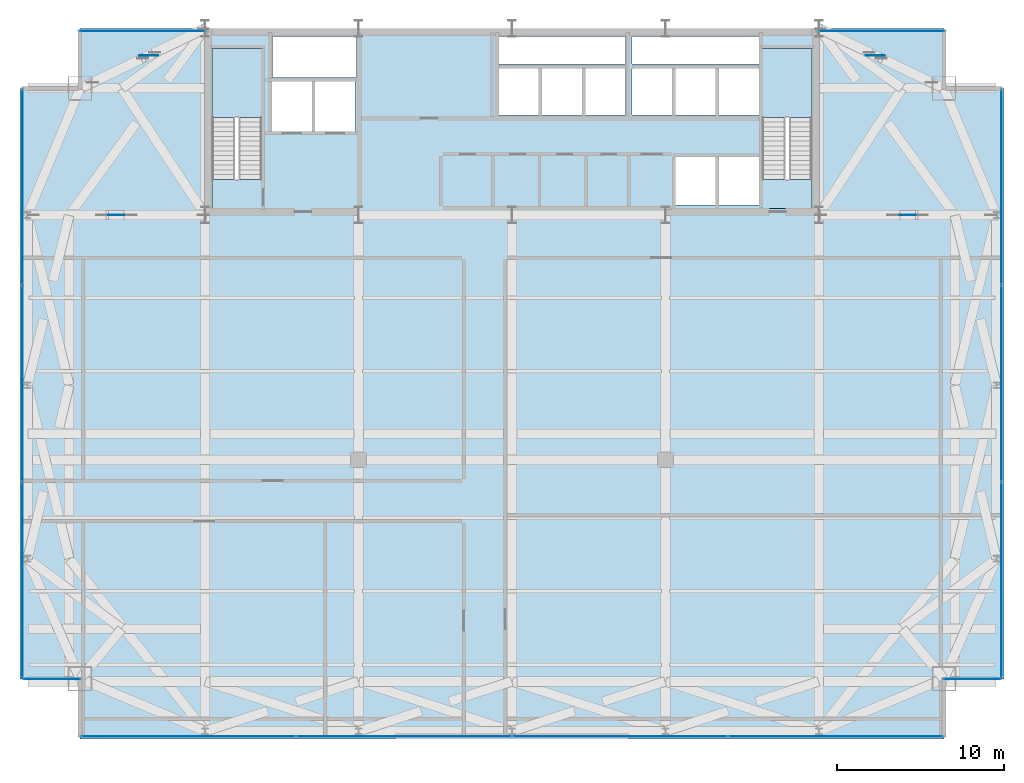
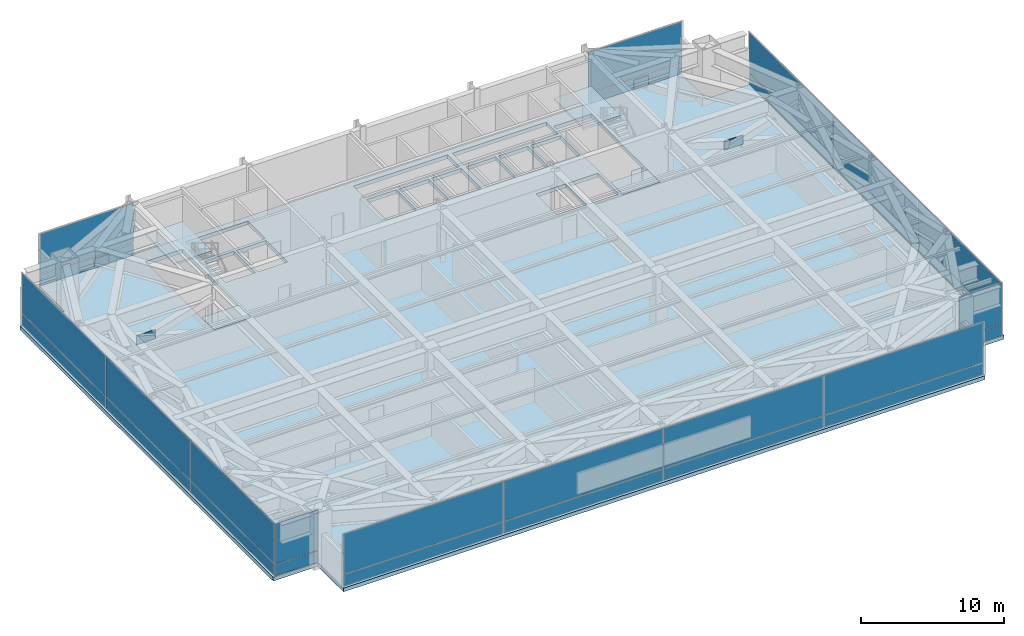
# One storey, part 26 of 32: 32 plates, 5 slabs, 9 elements without a shape of their own.
"""IFC4 building model written with IfcOpenShell, lengths in metres."""

from ifc_helpers import new_model, si_unit, direction, frame, origin, origin_2d, place, context, subcontext, project, spatial, polyline, rectangle, outline, extrude, source, transform, mapped, material, layer, layer_set, type_object, type_shapes, element, aggregate, save


model = new_model("IFC4")

# Units and contexts
model_context = context("Model", 3, precision=1e-05, world=origin(), true_north=direction((0.0, 1.0)))
body_context = subcontext(model_context, "Body", "Model", "MODEL_VIEW")
ifc_project = project(units=[si_unit("LENGTHUNIT", "METRE"), si_unit("AREAUNIT", "SQUARE_METRE"), si_unit("VOLUMEUNIT", "CUBIC_METRE"), si_unit("PLANEANGLEUNIT", "RADIAN"), si_unit("MASSUNIT", "GRAM", prefix="KILO")], contexts=[model_context])

# Site, building, storey
site_placement = place(None, origin())
site = spatial("IfcSite", under=ifc_project, at=site_placement, CompositionType="ELEMENT")
building_placement = place(site_placement, origin())
building = spatial("IfcBuilding", under=site, at=building_placement, Name="Varnel Quay Broadcast Tower", CompositionType="ELEMENT")
storey_placement = place(building_placement, frame((0.0, 0.0, 141.0)))
storey = spatial("IfcBuildingStorey", under=building, at=storey_placement, Name="L34", CompositionType="ELEMENT", Elevation=141.0)

# Slabs
ifc_material_1 = material(Name="Concrete CSA A23.3 C50/60", Category="concrete")
ifc_layer_1 = layer(ifc_material_1, 0.320068359375, Name="Concrete CSA A23.3 C50/60")
ifc_layer_set_1 = layer_set([ifc_layer_1], Name="Concrete CSA A23.3 C50/60")
slab_type_1 = type_object("IfcSlabType", Name="Slab_Floor320", PredefinedType="FLOOR", material=ifc_layer_set_1)
slab_1_placement = place(storey_placement, frame((0.0, 0.0, -0.320068359375)))
element("IfcSlab", 1, at=slab_1_placement, inside=storey, type_object=slab_type_1, Name="L34 Structural Slab", PredefinedType="FLOOR", context=body_context, shape_type="SweptSolid", body=[
    extrude(outline(polyline([(8.10009765625, 4.199951171875), (59.89990234375, 4.199951171875), (59.89990234375, 7.800048828125), (63.5, 7.800048828125), (63.5, 43.199951171875), (59.89990234375, 43.199951171875), (59.89990234375, 46.800048828125), (8.10009765625, 46.800048828125), (8.10009765625, 43.199951171875), (4.5, 43.199951171875), (4.5, 7.800048828125), (8.10009765625, 7.800048828125), (8.10009765625, 4.199951171875)]), holes=[polyline([(19.0, 36.0), (16.0, 36.0), (16.0, 45.60009765625), (19.0, 45.60009765625), (19.0, 36.0)]), polyline([(19.60009765625, 43.60009765625), (22.0, 43.60009765625), (22.0, 40.60009765625), (19.60009765625, 40.60009765625), (19.60009765625, 43.60009765625)]), polyline([(22.199951171875, 43.60009765625), (24.60009765625, 43.60009765625), (24.60009765625, 40.60009765625), (22.199951171875, 40.60009765625), (22.199951171875, 43.60009765625)]), polyline([(33.199951171875, 44.39990234375), (35.60009765625, 44.39990234375), (35.60009765625, 41.60009765625), (33.199951171875, 41.60009765625), (33.199951171875, 44.39990234375)]), polyline([(35.800048828125, 44.39990234375), (38.199951171875, 44.39990234375), (38.199951171875, 41.60009765625), (35.800048828125, 41.60009765625), (35.800048828125, 44.39990234375)]), polyline([(38.39990234375, 44.39990234375), (40.800048828125, 44.39990234375), (40.800048828125, 41.60009765625), (38.39990234375, 41.60009765625), (38.39990234375, 44.39990234375)]), polyline([(19.64990234375, 46.300048828125), (24.679931640625, 46.300048828125), (24.679931640625, 43.85009765625), (19.64990234375, 43.85009765625), (19.64990234375, 46.300048828125)]), polyline([(33.199951171875, 46.300048828125), (40.800048828125, 46.300048828125), (40.800048828125, 44.64990234375), (33.199951171875, 44.64990234375), (33.199951171875, 46.300048828125)]), polyline([(43.800048828125, 39.10009765625), (46.199951171875, 39.10009765625), (46.199951171875, 36.199951171875), (43.800048828125, 36.199951171875), (43.800048828125, 39.10009765625)]), polyline([(46.39990234375, 39.10009765625), (48.800048828125, 39.10009765625), (48.800048828125, 36.199951171875), (46.39990234375, 36.199951171875), (46.39990234375, 39.10009765625)]), polyline([(49.0, 36.0), (49.0, 45.60009765625), (52.0, 45.60009765625), (52.0, 36.0), (49.0, 36.0)]), polyline([(41.199951171875, 44.39990234375), (43.60009765625, 44.39990234375), (43.60009765625, 41.60009765625), (41.199951171875, 41.60009765625), (41.199951171875, 44.39990234375)]), polyline([(43.800048828125, 44.39990234375), (46.199951171875, 44.39990234375), (46.199951171875, 41.60009765625), (43.800048828125, 41.60009765625), (43.800048828125, 44.39990234375)]), polyline([(46.39990234375, 44.39990234375), (48.800048828125, 44.39990234375), (48.800048828125, 41.60009765625), (46.39990234375, 41.60009765625), (46.39990234375, 44.39990234375)]), polyline([(41.199951171875, 46.300048828125), (48.800048828125, 46.300048828125), (48.800048828125, 44.64990234375), (41.199951171875, 44.64990234375), (41.199951171875, 46.300048828125)])]), origin(), (0.0, 0.0, 1.0), 0.320068359375),
])
ifc_layer_2 = layer(ifc_material_1, 0.25, Name="Concrete CSA A23.3 C50/60")
ifc_layer_set_2 = layer_set([ifc_layer_2], Name="Concrete CSA A23.3 C50/60")
slab_type_2 = type_object("IfcSlabType", Name="Slab_StairFloorLanding250", PredefinedType="FLOOR", material=ifc_layer_set_2)
slab_2_placement = place(storey_placement, frame((0.0, 0.0, -0.320068359375)))
element("IfcSlab", 2, at=slab_2_placement, inside=storey, type_object=slab_type_2, Name="L34 ST-01 Structural Floor Landing Slab", PredefinedType="FLOOR", context=body_context, shape_type="SweptSolid", body=[
    extrude(outline(polyline([(19.0, 36.0), (19.0, 37.75), (16.0, 37.75), (16.0, 36.0), (19.0, 36.0)])), origin(), (0.0, 0.0, 1.0), 0.320068359375),
])
slab_3_placement = place(storey_placement, frame((0.0, 0.0, -0.320068359375)))
element("IfcSlab", 3, at=slab_3_placement, inside=storey, type_object=slab_type_2, Name="L34 ST-02 Structural Floor Landing Slab", PredefinedType="FLOOR", context=body_context, shape_type="SweptSolid", body=[
    extrude(outline(polyline([(52.0, 36.0), (52.0, 37.75), (49.0, 37.75), (49.0, 36.0), (52.0, 36.0)])), origin(), (0.0, 0.0, 1.0), 0.320068359375),
])

# Stair, slab
ifc_material_2 = material(Name="Precast Structural Concrete C40/50", Category="concrete")
stair_type_1 = type_object("IfcStairType", Name="Stair_ST-01", PredefinedType="HALF_TURN_STAIR", material=ifc_material_2)
stair_1_placement = place(storey_placement, origin())
stair_1 = element("IfcStair", 4, at=stair_1_placement, inside=storey, type_object=stair_type_1, Name="L34 West Core Exit Stair 1", PredefinedType="HALF_TURN_STAIR")
ifc_layer_3 = layer(ifc_material_2, 0.199951171875, Name="Precast Structural Concrete C40/50")
ifc_layer_set_3 = layer_set([ifc_layer_3], Name="Precast Structural Concrete C40/50")
slab_type_3 = type_object("IfcSlabType", Name="Slab_StairLanding200", PredefinedType="LANDING", material=ifc_layer_set_3)
slab_4_placement = place(storey_placement, frame((0.0, 0.0, 2.199951171875)))
slab_4 = element("IfcSlab", 5, at=slab_4_placement, type_object=slab_type_3, Name="ST-01 landing 1", PredefinedType="LANDING", context=body_context, shape_type="SweptSolid", body=[
    extrude(outline(polyline([(19.0, 41.455078125), (19.0, 45.60009765625), (16.0, 45.60009765625), (16.0, 41.455078125), (19.0, 41.455078125)])), origin(), (0.0, 0.0, 1.0), 0.199951171875),
])
aggregate(stair_1, [slab_4])

stair_type_2 = type_object("IfcStairType", Name="Stair_ST-02", PredefinedType="HALF_TURN_STAIR", material=ifc_material_2)
stair_2_placement = place(storey_placement, origin())
stair_2 = element("IfcStair", 6, at=stair_2_placement, inside=storey, type_object=stair_type_2, Name="L34 East Core Exit Stair 2", PredefinedType="HALF_TURN_STAIR")
slab_5_placement = place(storey_placement, frame((0.0, 0.0, 2.199951171875)))
slab_5 = element("IfcSlab", 7, at=slab_5_placement, type_object=slab_type_3, Name="ST-02 landing 1", PredefinedType="LANDING", context=body_context, shape_type="SweptSolid", body=[
    extrude(outline(polyline([(52.0, 41.455078125), (52.0, 45.60009765625), (49.0, 45.60009765625), (49.0, 41.455078125), (52.0, 41.455078125)])), origin(), (0.0, 0.0, 1.0), 0.199951171875),
])
aggregate(stair_2, [slab_5])

# Plates
ifc_material_3 = material(Name="Structural Steel CSA G40.21 350WT", Category="steel")
ifc_layer_4 = layer(ifc_material_3, 0.0400390625, Name="Structural Steel CSA G40.21 350WT")
ifc_layer_set_4 = layer_set([ifc_layer_4], Name="Structural Steel CSA G40.21 350WT")
plate_type_1 = type_object("IfcPlateType", Name="Plate_MegaGusset", PredefinedType="USERDEFINED", material=ifc_layer_set_4)
shared_shape_1 = source(origin(), body_context, "Body", "SweptSolid", [
    extrude(rectangle(XDim=1.1669921875, YDim=0.0400390625, at=origin_2d()), origin(), (0.0, 0.0, 1.0), 0.785888671875),
])
for number, where, z_axis, x_axis, name in (
    (8, (12.21923828125, 45.17724609375, 1.23681640625), (0.0, 0.0, 1.0), (1.0, 0.0, 0.0), "L34 Outrigger NW Central X-Crossing Gusset Plate"),
    (9, (55.78076171875, 45.17724609375, 1.23681640625), (0.0, 0.0, 1.0), (1.0, 0.0, 0.0), "L34 Outrigger NE Central X-Crossing Gusset Plate"),
):
    element("IfcPlate", number, at=place(storey_placement, frame(where, z_axis=z_axis, x_axis=x_axis)), inside=storey, type_object=plate_type_1, Name=name, ObjectType="GUSSET_PLATE", PredefinedType="USERDEFINED", context=body_context, shape_type="MappedRepresentation", body=[
        mapped(shared_shape_1, transform((0.0, 0.0, 0.0), x_axis=(1.0, 0.0, 0.0), y_axis=(0.0, 1.0, 0.0), z_axis=(0.0, 0.0, 1.0), scale=1.0)),
    ])
shared_shape_2 = source(origin(), body_context, "Body", "SweptSolid", [
    extrude(rectangle(XDim=1.52490234375, YDim=0.0400390625, at=origin_2d()), origin(), (0.0, 0.0, 1.0), 0.76806640625),
])
type_shapes(plate_type_1, [shared_shape_1, shared_shape_2])
for number, where, z_axis, x_axis, name in (
    (10, (10.27490234375, 35.60009765625, 1.245849609375), (0.0, 0.0, 1.0), (1.0, 0.0, 0.0), "L34 Outrigger W Central X-Crossing Gusset Plate"),
    (11, (57.72509765625, 35.60009765625, 1.245849609375), (0.0, 0.0, 1.0), (1.0, 0.0, 0.0), "L34 Outrigger E Central X-Crossing Gusset Plate"),
):
    element("IfcPlate", number, at=place(storey_placement, frame(where, z_axis=z_axis, x_axis=x_axis)), inside=storey, type_object=plate_type_1, Name=name, ObjectType="GUSSET_PLATE", PredefinedType="USERDEFINED", context=body_context, shape_type="MappedRepresentation", body=[
        mapped(shared_shape_2, transform((0.0, 0.0, 0.0), x_axis=(1.0, 0.0, 0.0), y_axis=(0.0, 1.0, 0.0), z_axis=(0.0, 0.0, 1.0), scale=1.0)),
    ])

# Curtain wall, plate
ifc_material_4 = material(Name="Anodised Bronze Aluminium 6063-T6", Category="aluminium")
ifc_layer_5 = layer(ifc_material_4, 0.18994140625, Name="Anodised Bronze Aluminium 6063-T6")
ifc_layer_set_5 = layer_set([ifc_layer_5], Name="Anodised Bronze Aluminium 6063-T6")
curtain_wall_type_1 = type_object("IfcCurtainWallType", Name="CW_NotchCorner", PredefinedType="NOTDEFINED", material=ifc_layer_set_5)
curtain_wall_1_placement = place(storey_placement, origin())
curtain_wall_1 = element("IfcCurtainWall", 12, at=curtain_wall_1_placement, inside=storey, type_object=curtain_wall_type_1, Name="L34 SW Notch Curtain Wall", PredefinedType="NOTDEFINED")
ifc_material_5 = material(Name="Triple-Glazed Bronze Low-E Architectural Glass", Category="glass")
ifc_layer_6 = layer(ifc_material_5, 0.028076171875, Name="Triple-Glazed Bronze Low-E Architectural Glass")
ifc_layer_set_6 = layer_set([ifc_layer_6], Name="Triple-Glazed Bronze Low-E Architectural Glass")
plate_type_2 = type_object("IfcPlateType", Name="Panel_CWS-04", PredefinedType="CURTAIN_PANEL", material=ifc_layer_set_6)
shared_shape_3 = source(origin(), body_context, "Body", "SweptSolid", [
    extrude(rectangle(XDim=3.409912109375, YDim=0.028076171875, at=origin_2d()), origin(), (0.0, 0.0, 1.0), 0.967529296875),
])
plate_1_placement = place(storey_placement, frame((6.4150390625, 7.800048828125, 0.05517578125), z_axis=(0.0, 0.0, 1.0), x_axis=(1.0, 0.0, 0.0)))
plate_1 = element("IfcPlate", 13, at=plate_1_placement, type_object=plate_type_2, Name="CWS-04 panel 1.1", PredefinedType="CURTAIN_PANEL", context=body_context, shape_type="MappedRepresentation", body=[
    mapped(shared_shape_3, transform((0.0, 0.0, 0.0), x_axis=(1.0, 0.0, 0.0), y_axis=(0.0, 1.0, 0.0), z_axis=(0.0, 0.0, 1.0), scale=1.0)),
])

curtain_wall_2_placement = place(storey_placement, origin())
curtain_wall_2 = element("IfcCurtainWall", 14, at=curtain_wall_2_placement, inside=storey, type_object=curtain_wall_type_1, Name="L34 SE Notch Curtain Wall", PredefinedType="NOTDEFINED")
plate_2_placement = place(storey_placement, frame((61.5849609375, 7.800048828125, 0.05517578125), z_axis=(0.0, 0.0, 1.0), x_axis=(1.0, 0.0, 0.0)))
plate_2 = element("IfcPlate", 15, at=plate_2_placement, type_object=plate_type_2, Name="CWS-04 panel 1.1", PredefinedType="CURTAIN_PANEL", context=body_context, shape_type="MappedRepresentation", body=[
    mapped(shared_shape_3, transform((0.0, 0.0, 0.0), x_axis=(1.0, 0.0, 0.0), y_axis=(0.0, 1.0, 0.0), z_axis=(0.0, 0.0, 1.0), scale=1.0)),
])

# Plate
shared_shape_4 = source(origin(), body_context, "Body", "SweptSolid", [
    extrude(rectangle(XDim=3.409912109375, YDim=0.028076171875, at=origin_2d()), origin(), (0.0, 0.0, 1.0), 3.41748046875),
])
type_shapes(plate_type_2, [shared_shape_3, shared_shape_4])
plate_3_placement = place(storey_placement, frame((6.4150390625, 7.800048828125, 1.077392578125), z_axis=(0.0, 0.0, 1.0), x_axis=(1.0, 0.0, 0.0)))
plate_3 = element("IfcPlate", 16, at=plate_3_placement, type_object=plate_type_2, Name="CWS-04 panel 1.2", PredefinedType="CURTAIN_PANEL", context=body_context, shape_type="MappedRepresentation", body=[
    mapped(shared_shape_4, transform((0.0, 0.0, 0.0), x_axis=(1.0, 0.0, 0.0), y_axis=(0.0, 1.0, 0.0), z_axis=(0.0, 0.0, 1.0), scale=1.0)),
])

aggregate(curtain_wall_1, [plate_1, plate_3])

plate_4_placement = place(storey_placement, frame((61.5849609375, 7.800048828125, 1.077392578125), z_axis=(0.0, 0.0, 1.0), x_axis=(1.0, 0.0, 0.0)))
plate_4 = element("IfcPlate", 17, at=plate_4_placement, type_object=plate_type_2, Name="CWS-04 panel 1.2", PredefinedType="CURTAIN_PANEL", context=body_context, shape_type="MappedRepresentation", body=[
    mapped(shared_shape_4, transform((0.0, 0.0, 0.0), x_axis=(1.0, 0.0, 0.0), y_axis=(0.0, 1.0, 0.0), z_axis=(0.0, 0.0, 1.0), scale=1.0)),
])

aggregate(curtain_wall_2, [plate_2, plate_4])

# Curtain wall, plates
ifc_layer_7 = layer(ifc_material_4, 0.18994140625, Name="Anodised Bronze Aluminium 6063-T6")
ifc_layer_set_7 = layer_set([ifc_layer_7], Name="Anodised Bronze Aluminium 6063-T6")
curtain_wall_type_2 = type_object("IfcCurtainWallType", Name="CW_LowerTower", PredefinedType="NOTDEFINED", material=ifc_layer_set_7)
curtain_wall_3_placement = place(storey_placement, origin())
curtain_wall_3 = element("IfcCurtainWall", 18, at=curtain_wall_3_placement, inside=storey, type_object=curtain_wall_type_2, Name="L34 South Unitised Curtain Wall 1", PredefinedType="NOTDEFINED")
ifc_layer_8 = layer(ifc_material_5, 0.031982421875, Name="Triple-Glazed Bronze Low-E Architectural Glass")
ifc_layer_set_8 = layer_set([ifc_layer_8], Name="Triple-Glazed Bronze Low-E Architectural Glass")
plate_type_3 = type_object("IfcPlateType", Name="Panel_CWS-02", PredefinedType="CURTAIN_PANEL", material=ifc_layer_set_8)
shared_shape_5 = source(origin(), body_context, "Body", "SweptSolid", [
    extrude(rectangle(XDim=12.844970703125, YDim=0.031982421875, at=origin_2d()), origin(), (0.0, 0.0, 1.0), 0.9599609375),
])
plate_5_placement = place(storey_placement, frame((14.592529296875, 4.35009765625, 0.06005859375), z_axis=(0.0, 0.0, 1.0), x_axis=(1.0, 0.0, 0.0)))
plate_5 = element("IfcPlate", 19, at=plate_5_placement, type_object=plate_type_3, Name="CWS-02 panel 1.1", PredefinedType="CURTAIN_PANEL", context=body_context, shape_type="MappedRepresentation", body=[
    mapped(shared_shape_5, transform((0.0, 0.0, 0.0), x_axis=(1.0, 0.0, 0.0), y_axis=(0.0, 1.0, 0.0), z_axis=(0.0, 0.0, 1.0), scale=1.0)),
])
plate_6_placement = place(storey_placement, frame((53.407470703125, 4.35009765625, 0.06005859375), z_axis=(0.0, 0.0, 1.0), x_axis=(1.0, 0.0, 0.0)))
plate_6 = element("IfcPlate", 20, at=plate_6_placement, type_object=plate_type_3, Name="CWS-02 panel 4.1", PredefinedType="CURTAIN_PANEL", context=body_context, shape_type="MappedRepresentation", body=[
    mapped(shared_shape_5, transform((0.0, 0.0, 0.0), x_axis=(1.0, 0.0, 0.0), y_axis=(0.0, 1.0, 0.0), z_axis=(0.0, 0.0, 1.0), scale=1.0)),
])
shared_shape_6 = source(origin(), body_context, "Body", "SweptSolid", [
    extrude(rectangle(XDim=12.844970703125, YDim=0.031982421875, at=origin_2d()), origin(), (0.0, 0.0, 1.0), 3.409912109375),
])
plate_7_placement = place(storey_placement, frame((14.592529296875, 4.35009765625, 1.080078125), z_axis=(0.0, 0.0, 1.0), x_axis=(1.0, 0.0, 0.0)))
plate_7 = element("IfcPlate", 21, at=plate_7_placement, type_object=plate_type_3, Name="CWS-02 panel 1.2", PredefinedType="CURTAIN_PANEL", context=body_context, shape_type="MappedRepresentation", body=[
    mapped(shared_shape_6, transform((0.0, 0.0, 0.0), x_axis=(1.0, 0.0, 0.0), y_axis=(0.0, 1.0, 0.0), z_axis=(0.0, 0.0, 1.0), scale=1.0)),
])
plate_8_placement = place(storey_placement, frame((53.407470703125, 4.35009765625, 1.080078125), z_axis=(0.0, 0.0, 1.0), x_axis=(1.0, 0.0, 0.0)))
plate_8 = element("IfcPlate", 22, at=plate_8_placement, type_object=plate_type_3, Name="CWS-02 panel 4.2", PredefinedType="CURTAIN_PANEL", context=body_context, shape_type="MappedRepresentation", body=[
    mapped(shared_shape_6, transform((0.0, 0.0, 0.0), x_axis=(1.0, 0.0, 0.0), y_axis=(0.0, 1.0, 0.0), z_axis=(0.0, 0.0, 1.0), scale=1.0)),
])
shared_shape_7 = source(origin(), body_context, "Body", "SweptSolid", [
    extrude(rectangle(XDim=12.8798828125, YDim=0.031982421875, at=origin_2d()), origin(), (0.0, 0.0, 1.0), 0.9599609375),
])
plate_9_placement = place(storey_placement, frame((27.52490234375, 4.35009765625, 0.06005859375), z_axis=(0.0, 0.0, 1.0), x_axis=(1.0, 0.0, 0.0)))
plate_9 = element("IfcPlate", 23, at=plate_9_placement, type_object=plate_type_3, Name="CWS-02 panel 2.1", PredefinedType="CURTAIN_PANEL", context=body_context, shape_type="MappedRepresentation", body=[
    mapped(shared_shape_7, transform((0.0, 0.0, 0.0), x_axis=(1.0, 0.0, 0.0), y_axis=(0.0, 1.0, 0.0), z_axis=(0.0, 0.0, 1.0), scale=1.0)),
])
plate_10_placement = place(storey_placement, frame((40.47509765625, 4.35009765625, 0.06005859375), z_axis=(0.0, 0.0, 1.0), x_axis=(1.0, 0.0, 0.0)))
plate_10 = element("IfcPlate", 24, at=plate_10_placement, type_object=plate_type_3, Name="CWS-02 panel 3.1", PredefinedType="CURTAIN_PANEL", context=body_context, shape_type="MappedRepresentation", body=[
    mapped(shared_shape_7, transform((0.0, 0.0, 0.0), x_axis=(1.0, 0.0, 0.0), y_axis=(0.0, 1.0, 0.0), z_axis=(0.0, 0.0, 1.0), scale=1.0)),
])
shared_shape_8 = source(origin(), body_context, "Body", "SweptSolid", [
    extrude(rectangle(XDim=12.8798828125, YDim=0.031982421875, at=origin_2d()), origin(), (0.0, 0.0, 1.0), 3.409912109375),
])
plate_11_placement = place(storey_placement, frame((27.52490234375, 4.35009765625, 1.080078125), z_axis=(0.0, 0.0, 1.0), x_axis=(1.0, 0.0, 0.0)))
plate_11 = element("IfcPlate", 25, at=plate_11_placement, type_object=plate_type_3, Name="CWS-02 panel 2.2", PredefinedType="CURTAIN_PANEL", context=body_context, shape_type="MappedRepresentation", body=[
    mapped(shared_shape_8, transform((0.0, 0.0, 0.0), x_axis=(1.0, 0.0, 0.0), y_axis=(0.0, 1.0, 0.0), z_axis=(0.0, 0.0, 1.0), scale=1.0)),
])
plate_12_placement = place(storey_placement, frame((40.47509765625, 4.35009765625, 1.080078125), z_axis=(0.0, 0.0, 1.0), x_axis=(1.0, 0.0, 0.0)))
plate_12 = element("IfcPlate", 26, at=plate_12_placement, type_object=plate_type_3, Name="CWS-02 panel 3.2", PredefinedType="CURTAIN_PANEL", context=body_context, shape_type="MappedRepresentation", body=[
    mapped(shared_shape_8, transform((0.0, 0.0, 0.0), x_axis=(1.0, 0.0, 0.0), y_axis=(0.0, 1.0, 0.0), z_axis=(0.0, 0.0, 1.0), scale=1.0)),
])
aggregate(curtain_wall_3, [plate_5, plate_7, plate_9, plate_11, plate_10, plate_12, plate_6, plate_8])

# Curtain wall, plate
curtain_wall_4_placement = place(storey_placement, origin())
curtain_wall_4 = element("IfcCurtainWall", 27, at=curtain_wall_4_placement, inside=storey, type_object=curtain_wall_type_2, Name="L34 West Unitised Curtain Wall", PredefinedType="NOTDEFINED")
shared_shape_9 = source(origin(), body_context, "Body", "SweptSolid", [
    extrude(rectangle(XDim=11.695068359375, YDim=0.031982421875, at=origin_2d()), origin(), (0.0, 0.0, 1.0), 0.9599609375),
])
plate_13_placement = place(storey_placement, frame((4.64990234375, 13.717529296875, 0.06005859375), z_axis=(0.0, 0.0, 1.0), x_axis=(0.0, 1.0, 0.0)))
plate_13 = element("IfcPlate", 28, at=plate_13_placement, type_object=plate_type_3, Name="CWS-02 panel 1.1", PredefinedType="CURTAIN_PANEL", context=body_context, shape_type="MappedRepresentation", body=[
    mapped(shared_shape_9, transform((0.0, 0.0, 0.0), x_axis=(1.0, 0.0, 0.0), y_axis=(0.0, 1.0, 0.0), z_axis=(0.0, 0.0, 1.0), scale=1.0)),
])

curtain_wall_5_placement = place(storey_placement, origin())
curtain_wall_5 = element("IfcCurtainWall", 29, at=curtain_wall_5_placement, inside=storey, type_object=curtain_wall_type_2, Name="L34 East Unitised Curtain Wall", PredefinedType="NOTDEFINED")
plate_14_placement = place(storey_placement, frame((63.35009765625, 13.717529296875, 0.06005859375), z_axis=(0.0, 0.0, 1.0), x_axis=(0.0, 1.0, 0.0)))
plate_14 = element("IfcPlate", 30, at=plate_14_placement, type_object=plate_type_3, Name="CWS-02 panel 1.1", PredefinedType="CURTAIN_PANEL", context=body_context, shape_type="MappedRepresentation", body=[
    mapped(shared_shape_9, transform((0.0, 0.0, 0.0), x_axis=(1.0, 0.0, 0.0), y_axis=(0.0, 1.0, 0.0), z_axis=(0.0, 0.0, 1.0), scale=1.0)),
])

# Plate
shared_shape_10 = source(origin(), body_context, "Body", "SweptSolid", [
    extrude(rectangle(XDim=11.695068359375, YDim=0.031982421875, at=origin_2d()), origin(), (0.0, 0.0, 1.0), 3.409912109375),
])
plate_15_placement = place(storey_placement, frame((4.64990234375, 13.717529296875, 1.080078125), z_axis=(0.0, 0.0, 1.0), x_axis=(0.0, 1.0, 0.0)))
plate_15 = element("IfcPlate", 31, at=plate_15_placement, type_object=plate_type_3, Name="CWS-02 panel 1.2", PredefinedType="CURTAIN_PANEL", context=body_context, shape_type="MappedRepresentation", body=[
    mapped(shared_shape_10, transform((0.0, 0.0, 0.0), x_axis=(1.0, 0.0, 0.0), y_axis=(0.0, 1.0, 0.0), z_axis=(0.0, 0.0, 1.0), scale=1.0)),
])

plate_16_placement = place(storey_placement, frame((63.35009765625, 13.717529296875, 1.080078125), z_axis=(0.0, 0.0, 1.0), x_axis=(0.0, 1.0, 0.0)))
plate_16 = element("IfcPlate", 32, at=plate_16_placement, type_object=plate_type_3, Name="CWS-02 panel 1.2", PredefinedType="CURTAIN_PANEL", context=body_context, shape_type="MappedRepresentation", body=[
    mapped(shared_shape_10, transform((0.0, 0.0, 0.0), x_axis=(1.0, 0.0, 0.0), y_axis=(0.0, 1.0, 0.0), z_axis=(0.0, 0.0, 1.0), scale=1.0)),
])

shared_shape_11 = source(origin(), body_context, "Body", "SweptSolid", [
    extrude(rectangle(XDim=11.72998046875, YDim=0.031982421875, at=origin_2d()), origin(), (0.0, 0.0, 1.0), 0.9599609375),
])
plate_17_placement = place(storey_placement, frame((4.64990234375, 25.5, 0.06005859375), z_axis=(0.0, 0.0, 1.0), x_axis=(0.0, 1.0, 0.0)))
plate_17 = element("IfcPlate", 33, at=plate_17_placement, type_object=plate_type_3, Name="CWS-02 panel 2.1", PredefinedType="CURTAIN_PANEL", context=body_context, shape_type="MappedRepresentation", body=[
    mapped(shared_shape_11, transform((0.0, 0.0, 0.0), x_axis=(1.0, 0.0, 0.0), y_axis=(0.0, 1.0, 0.0), z_axis=(0.0, 0.0, 1.0), scale=1.0)),
])

plate_18_placement = place(storey_placement, frame((63.35009765625, 25.5, 0.06005859375), z_axis=(0.0, 0.0, 1.0), x_axis=(0.0, 1.0, 0.0)))
plate_18 = element("IfcPlate", 34, at=plate_18_placement, type_object=plate_type_3, Name="CWS-02 panel 2.1", PredefinedType="CURTAIN_PANEL", context=body_context, shape_type="MappedRepresentation", body=[
    mapped(shared_shape_11, transform((0.0, 0.0, 0.0), x_axis=(1.0, 0.0, 0.0), y_axis=(0.0, 1.0, 0.0), z_axis=(0.0, 0.0, 1.0), scale=1.0)),
])

shared_shape_12 = source(origin(), body_context, "Body", "SweptSolid", [
    extrude(rectangle(XDim=11.72998046875, YDim=0.031982421875, at=origin_2d()), origin(), (0.0, 0.0, 1.0), 3.409912109375),
])
type_shapes(plate_type_3, [shared_shape_5, shared_shape_6, shared_shape_7, shared_shape_8, shared_shape_9, shared_shape_10, shared_shape_11, shared_shape_12])
plate_19_placement = place(storey_placement, frame((4.64990234375, 25.5, 1.080078125), z_axis=(0.0, 0.0, 1.0), x_axis=(0.0, 1.0, 0.0)))
plate_19 = element("IfcPlate", 35, at=plate_19_placement, type_object=plate_type_3, Name="CWS-02 panel 2.2", PredefinedType="CURTAIN_PANEL", context=body_context, shape_type="MappedRepresentation", body=[
    mapped(shared_shape_12, transform((0.0, 0.0, 0.0), x_axis=(1.0, 0.0, 0.0), y_axis=(0.0, 1.0, 0.0), z_axis=(0.0, 0.0, 1.0), scale=1.0)),
])

plate_20_placement = place(storey_placement, frame((63.35009765625, 25.5, 1.080078125), z_axis=(0.0, 0.0, 1.0), x_axis=(0.0, 1.0, 0.0)))
plate_20 = element("IfcPlate", 36, at=plate_20_placement, type_object=plate_type_3, Name="CWS-02 panel 2.2", PredefinedType="CURTAIN_PANEL", context=body_context, shape_type="MappedRepresentation", body=[
    mapped(shared_shape_12, transform((0.0, 0.0, 0.0), x_axis=(1.0, 0.0, 0.0), y_axis=(0.0, 1.0, 0.0), z_axis=(0.0, 0.0, 1.0), scale=1.0)),
])

ifc_material_6 = material(Name="Insulated Bronze Spandrel Glass", Category="glass")
ifc_layer_9 = layer(ifc_material_6, 0.031982421875, Name="Insulated Bronze Spandrel Glass")
ifc_layer_set_9 = layer_set([ifc_layer_9], Name="Insulated Bronze Spandrel Glass")
plate_type_4 = type_object("IfcPlateType", Name="PanelSp_CWS-02", PredefinedType="CURTAIN_PANEL", material=ifc_layer_set_9)
shared_shape_13 = source(origin(), body_context, "Body", "SweptSolid", [
    extrude(rectangle(XDim=11.695068359375, YDim=0.031982421875, at=origin_2d()), origin(), (0.0, 0.0, 1.0), 0.9599609375),
])
plate_21_placement = place(storey_placement, frame((4.64990234375, 37.282470703125, 0.06005859375), z_axis=(0.0, 0.0, 1.0), x_axis=(0.0, 1.0, 0.0)))
plate_21 = element("IfcPlate", 37, at=plate_21_placement, type_object=plate_type_4, Name="CWS-02 panel 3.1", PredefinedType="CURTAIN_PANEL", context=body_context, shape_type="MappedRepresentation", body=[
    mapped(shared_shape_13, transform((0.0, 0.0, 0.0), x_axis=(1.0, 0.0, 0.0), y_axis=(0.0, 1.0, 0.0), z_axis=(0.0, 0.0, 1.0), scale=1.0)),
])

plate_22_placement = place(storey_placement, frame((63.35009765625, 37.282470703125, 0.06005859375), z_axis=(0.0, 0.0, 1.0), x_axis=(0.0, 1.0, 0.0)))
plate_22 = element("IfcPlate", 38, at=plate_22_placement, type_object=plate_type_4, Name="CWS-02 panel 3.1", PredefinedType="CURTAIN_PANEL", context=body_context, shape_type="MappedRepresentation", body=[
    mapped(shared_shape_13, transform((0.0, 0.0, 0.0), x_axis=(1.0, 0.0, 0.0), y_axis=(0.0, 1.0, 0.0), z_axis=(0.0, 0.0, 1.0), scale=1.0)),
])

shared_shape_14 = source(origin(), body_context, "Body", "SweptSolid", [
    extrude(rectangle(XDim=11.695068359375, YDim=0.031982421875, at=origin_2d()), origin(), (0.0, 0.0, 1.0), 3.409912109375),
])
type_shapes(plate_type_4, [shared_shape_13, shared_shape_14])
plate_23_placement = place(storey_placement, frame((4.64990234375, 37.282470703125, 1.080078125), z_axis=(0.0, 0.0, 1.0), x_axis=(0.0, 1.0, 0.0)))
plate_23 = element("IfcPlate", 39, at=plate_23_placement, type_object=plate_type_4, Name="CWS-02 panel 3.2", PredefinedType="CURTAIN_PANEL", context=body_context, shape_type="MappedRepresentation", body=[
    mapped(shared_shape_14, transform((0.0, 0.0, 0.0), x_axis=(1.0, 0.0, 0.0), y_axis=(0.0, 1.0, 0.0), z_axis=(0.0, 0.0, 1.0), scale=1.0)),
])

aggregate(curtain_wall_4, [plate_13, plate_15, plate_17, plate_19, plate_21, plate_23])

plate_24_placement = place(storey_placement, frame((63.35009765625, 37.282470703125, 1.080078125), z_axis=(0.0, 0.0, 1.0), x_axis=(0.0, 1.0, 0.0)))
plate_24 = element("IfcPlate", 40, at=plate_24_placement, type_object=plate_type_4, Name="CWS-02 panel 3.2", PredefinedType="CURTAIN_PANEL", context=body_context, shape_type="MappedRepresentation", body=[
    mapped(shared_shape_14, transform((0.0, 0.0, 0.0), x_axis=(1.0, 0.0, 0.0), y_axis=(0.0, 1.0, 0.0), z_axis=(0.0, 0.0, 1.0), scale=1.0)),
])

aggregate(curtain_wall_5, [plate_14, plate_16, plate_18, plate_20, plate_22, plate_24])

# Curtain wall, plate
ifc_layer_10 = layer(ifc_material_4, 0.18994140625, Name="Anodised Bronze Aluminium 6063-T6")
ifc_layer_set_10 = layer_set([ifc_layer_10], Name="Anodised Bronze Aluminium 6063-T6")
curtain_wall_type_3 = type_object("IfcCurtainWallType", Name="CW_CrownScreen", PredefinedType="NOTDEFINED", material=ifc_layer_set_10)
curtain_wall_6_placement = place(storey_placement, origin())
curtain_wall_6 = element("IfcCurtainWall", 41, at=curtain_wall_6_placement, inside=storey, type_object=curtain_wall_type_3, Name="L34 NW Wing Curtain Wall", PredefinedType="NOTDEFINED")
ifc_layer_11 = layer(ifc_material_6, 0.02587890625, Name="Insulated Bronze Spandrel Glass")
ifc_layer_set_11 = layer_set([ifc_layer_11], Name="Insulated Bronze Spandrel Glass")
plate_type_5 = type_object("IfcPlateType", Name="Panel_CWS-06", PredefinedType="CURTAIN_PANEL", material=ifc_layer_set_11)
shared_shape_15 = source(origin(), body_context, "Body", "SweptSolid", [
    extrude(rectangle(XDim=7.5400390625, YDim=0.02587890625, at=origin_2d()), origin(), (0.0, 0.0, 1.0), 0.9599609375),
])
plate_25_placement = place(storey_placement, frame((11.860107421875, 46.64990234375, 0.06005859375), z_axis=(0.0, 0.0, 1.0), x_axis=(1.0, 0.0, 0.0)))
plate_25 = element("IfcPlate", 42, at=plate_25_placement, type_object=plate_type_5, Name="CWS-06 panel 1.1", PredefinedType="CURTAIN_PANEL", context=body_context, shape_type="MappedRepresentation", body=[
    mapped(shared_shape_15, transform((0.0, 0.0, 0.0), x_axis=(1.0, 0.0, 0.0), y_axis=(0.0, 1.0, 0.0), z_axis=(0.0, 0.0, 1.0), scale=1.0)),
])

curtain_wall_7_placement = place(storey_placement, origin())
curtain_wall_7 = element("IfcCurtainWall", 43, at=curtain_wall_7_placement, inside=storey, type_object=curtain_wall_type_3, Name="L34 NE Wing Curtain Wall", PredefinedType="NOTDEFINED")
plate_26_placement = place(storey_placement, frame((56.139892578125, 46.64990234375, 0.06005859375), z_axis=(0.0, 0.0, 1.0), x_axis=(1.0, 0.0, 0.0)))
plate_26 = element("IfcPlate", 44, at=plate_26_placement, type_object=plate_type_5, Name="CWS-06 panel 1.1", PredefinedType="CURTAIN_PANEL", context=body_context, shape_type="MappedRepresentation", body=[
    mapped(shared_shape_15, transform((0.0, 0.0, 0.0), x_axis=(1.0, 0.0, 0.0), y_axis=(0.0, 1.0, 0.0), z_axis=(0.0, 0.0, 1.0), scale=1.0)),
])

# Plate
shared_shape_16 = source(origin(), body_context, "Body", "SweptSolid", [
    extrude(rectangle(XDim=7.5400390625, YDim=0.02587890625, at=origin_2d()), origin(), (0.0, 0.0, 1.0), 3.409912109375),
])
type_shapes(plate_type_5, [shared_shape_15, shared_shape_16])
plate_27_placement = place(storey_placement, frame((11.860107421875, 46.64990234375, 1.080078125), z_axis=(0.0, 0.0, 1.0), x_axis=(1.0, 0.0, 0.0)))
plate_27 = element("IfcPlate", 45, at=plate_27_placement, type_object=plate_type_5, Name="CWS-06 panel 1.2", PredefinedType="CURTAIN_PANEL", context=body_context, shape_type="MappedRepresentation", body=[
    mapped(shared_shape_16, transform((0.0, 0.0, 0.0), x_axis=(1.0, 0.0, 0.0), y_axis=(0.0, 1.0, 0.0), z_axis=(0.0, 0.0, 1.0), scale=1.0)),
])

aggregate(curtain_wall_6, [plate_25, plate_27])

plate_28_placement = place(storey_placement, frame((56.139892578125, 46.64990234375, 1.080078125), z_axis=(0.0, 0.0, 1.0), x_axis=(1.0, 0.0, 0.0)))
plate_28 = element("IfcPlate", 46, at=plate_28_placement, type_object=plate_type_5, Name="CWS-06 panel 1.2", PredefinedType="CURTAIN_PANEL", context=body_context, shape_type="MappedRepresentation", body=[
    mapped(shared_shape_16, transform((0.0, 0.0, 0.0), x_axis=(1.0, 0.0, 0.0), y_axis=(0.0, 1.0, 0.0), z_axis=(0.0, 0.0, 1.0), scale=1.0)),
])

aggregate(curtain_wall_7, [plate_26, plate_28])

save(model, "model.ifc")
